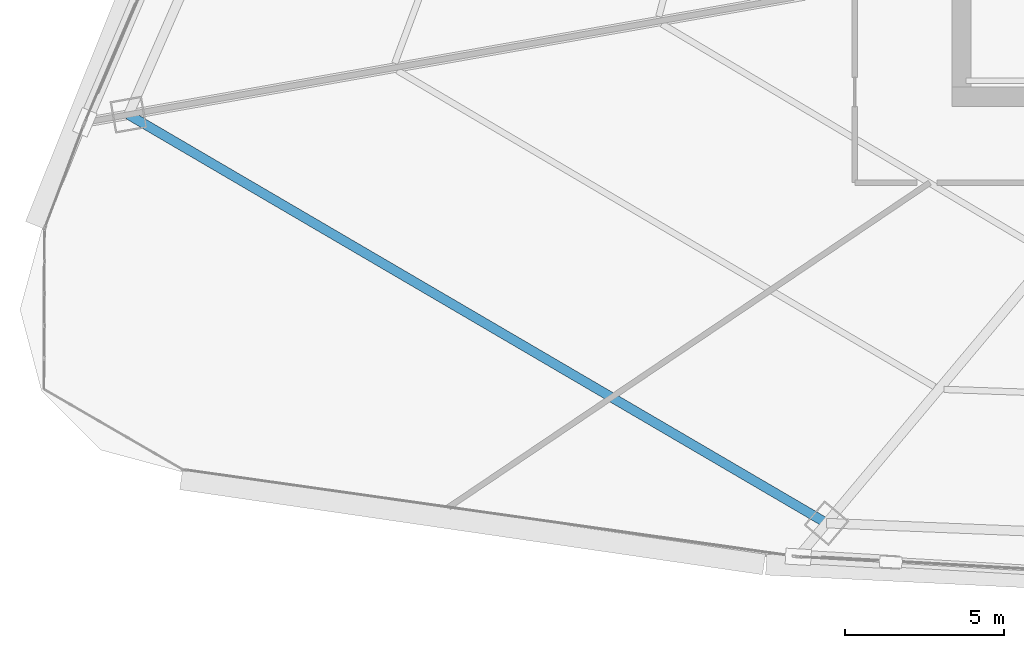
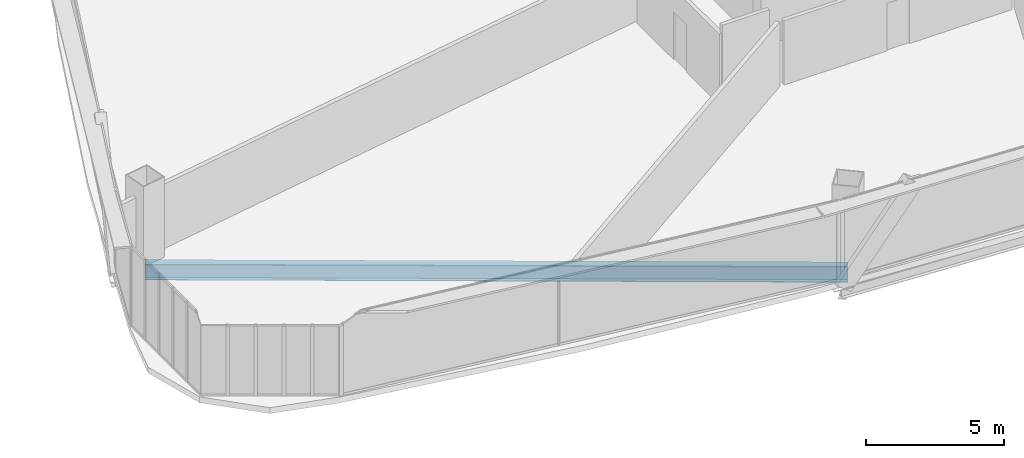
# One storey, part 5 of 41: 1 beam.
"""IFC4 building model written with IfcOpenShell, lengths in metres."""

from ifc_helpers import new_model, si_unit, direction, frame, origin, origin_2d, place, context, subcontext, project, spatial, i_section, extrude, source, transform, mapped, material, material_profile, profile_set, type_object, element, save


model = new_model("IFC4")

# Units and contexts
model_context = context("Model", 3, precision=1e-05, world=origin(), true_north=direction((0.0, 1.0)))
body_context = subcontext(model_context, "Body", "Model", "MODEL_VIEW")
ifc_project = project(units=[si_unit("LENGTHUNIT", "METRE"), si_unit("AREAUNIT", "SQUARE_METRE"), si_unit("VOLUMEUNIT", "CUBIC_METRE"), si_unit("PLANEANGLEUNIT", "RADIAN"), si_unit("MASSUNIT", "GRAM", prefix="KILO"), si_unit("THERMODYNAMICTEMPERATUREUNIT", "KELVIN"), si_unit("POWERUNIT", "WATT")], contexts=[model_context])

# Site, building, storey
site_placement = place(None, origin())
site = spatial("IfcSite", under=ifc_project, at=site_placement, CompositionType="ELEMENT")
building_placement = place(site_placement, origin())
building = spatial("IfcBuilding", under=site, at=building_placement, Name="Yunzhuo Pagoda Commons", CompositionType="ELEMENT")
storey_placement = place(building_placement, frame((0.0, 0.0, 111.580078125)))
storey = spatial("IfcBuildingStorey", under=building, at=storey_placement, Name="L28", CompositionType="ELEMENT", Elevation=111.580078125)

# Beam
ifc_material = material(Name="Structural steel Q355B", Category="steel")
ifc_material_profile = material_profile(ifc_material, i_section(OverallWidth=0.300048828125, OverallDepth=0.699951171875, WebThickness=0.012939453125, FlangeThickness=0.02392578125, at=origin_2d()), Name="Structural steel Q355B")
ifc_profile_set = profile_set([ifc_material_profile], Name="Structural steel Q355B")
beam_type = type_object("IfcBeamType", Name="B-RG1 Beam HN 700x300x13x24", PredefinedType="BEAM", material=ifc_profile_set)
shared_shape = source(origin(), body_context, "Body", "SweptSolid", [
    extrude(i_section(OverallWidth=0.300048828125, OverallDepth=0.699951171875, WebThickness=0.012939453125, FlangeThickness=0.02392578125, at=origin_2d()), origin(), (0.0, 0.0, 1.0), 25.3935546875),
])
beam_placement = place(storey_placement, frame((9.647216796875, 26.9375, -0.610107421875), z_axis=(0.863085207128, -0.505058338449, 0.0), x_axis=(0.505058338449, 0.863085207128, 0.0)))
element("IfcBeam", 1, at=beam_placement, inside=storey, type_object=beam_type, Name="L28 column-ring beam 12", PredefinedType="BEAM", context=body_context, shape_type="MappedRepresentation", body=[
    mapped(shared_shape, transform((0.0, 0.0, 0.0), scale=1.0)),
])

save(model, "model.ifc")
